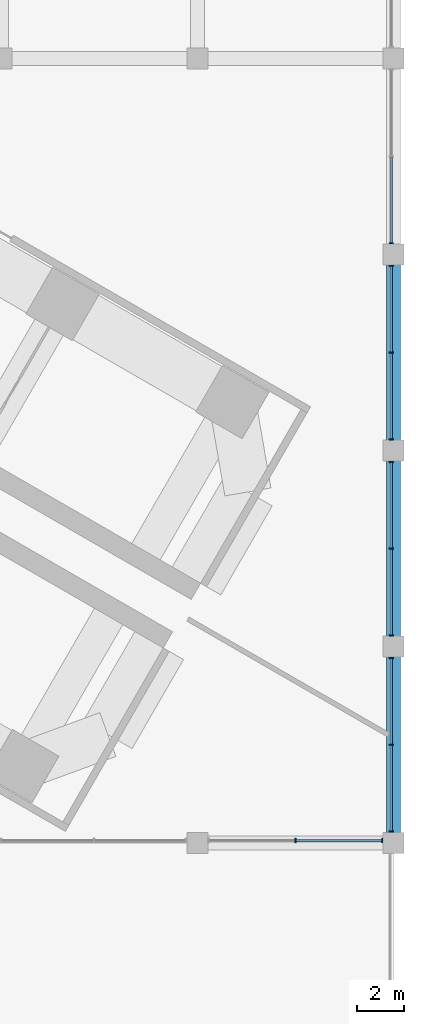
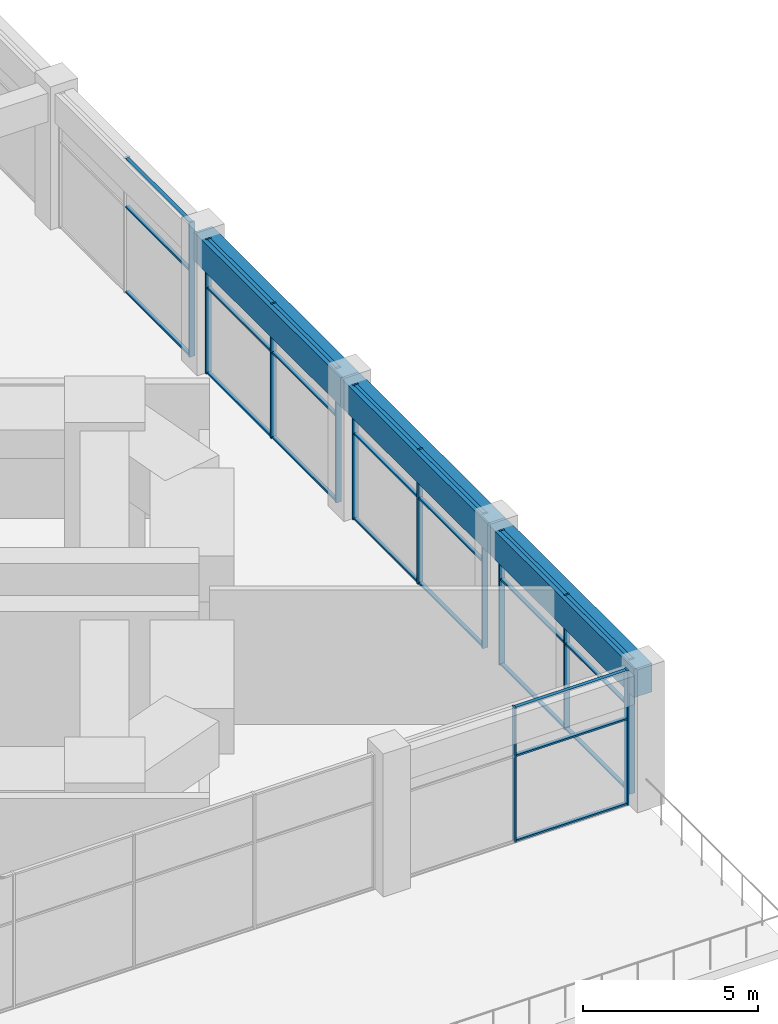
# One storey, part 13 of 36: 36 members, 3 beams, 5 elements without a shape of their own.
"""IFC4 building model written with IfcOpenShell, lengths in metres."""

import ifcopenshell
import ifcopenshell.guid

model = None  # the IFC model being written
_history = None  # IfcOwnerHistory: only IFC2X3 demands one
_inside = {}  # id of a spatial element -> (the spatial element, [elements in it])
_under = {}  # id of a project, library or spatial element -> (it, [spatial elements below it])
_declared = {}  # id of a project -> (the project, [libraries it declares])
_typed = {}  # id of a type object -> (the type object, [elements of that type])
_made_of = {}  # id of a material, layer set ... -> (it, [elements and type objects made of it])


def new_model(schema):
    """Start an empty IFC model of exactly this schema.

    Asked for "IFC4X3", IfcOpenShell would pick the latest addendum, in which some entities
    have other attributes; the version numbers below select the first issue.
    IFC2X3 requires an IfcOwnerHistory on every rooted entity: one is made here for all.
    """
    global model, _history
    if schema == "IFC4X3":
        model = ifcopenshell.file(schema_version=(4, 3, 0, 0))
    else:
        model = ifcopenshell.file(schema=schema)
    _inside.clear()
    _under.clear()
    _declared.clear()
    _typed.clear()
    _made_of.clear()
    _history = None
    if model.schema == "IFC2X3":
        org = make("IfcOrganization", Name="unknown")
        user = make(
            "IfcPersonAndOrganization",
            ThePerson=make("IfcPerson", FamilyName="unknown"),
            TheOrganization=org,
        )
        app = make(
            "IfcApplication",
            ApplicationDeveloper=org,
            Version="unknown",
            ApplicationFullName="unknown",
            ApplicationIdentifier="unknown",
        )
        _history = make(
            "IfcOwnerHistory",
            OwningUser=user,
            OwningApplication=app,
            ChangeAction="ADDED",
            CreationDate=0,
        )
    return model


def make(cls, **values):
    """One entity of the class cls with the attributes given. An attribute that is None is left unset."""
    return model.create_entity(
        cls, **{name: value for name, value in values.items() if value is not None}
    )


def rooted(cls, **values):
    """An entity with a GlobalId (a new one), such as an element, a storey or a relation."""
    return make(cls, GlobalId=ifcopenshell.guid.new(), OwnerHistory=_history, **values)


def si_unit(unit_type, name, prefix=None):
    """IfcSIUnit, for example si_unit("LENGTHUNIT", "METRE", prefix="MILLI")."""
    return make("IfcSIUnit", UnitType=unit_type, Prefix=prefix, Name=name)


def assignment(units):
    """IfcUnitAssignment: the units of a project."""
    return None if units is None else make("IfcUnitAssignment", Units=units)


def point(xyz):
    """IfcCartesianPoint."""
    return None if xyz is None else make("IfcCartesianPoint", Coordinates=xyz)


def direction(xyz):
    """IfcDirection."""
    return None if xyz is None else make("IfcDirection", DirectionRatios=xyz)


def frame(location, z_axis=None, x_axis=None):
    """IfcAxis2Placement3D, a coordinate frame: its origin and axes. An axis left out is left unset."""
    return make(
        "IfcAxis2Placement3D",
        Location=point(location),
        Axis=direction(z_axis),
        RefDirection=direction(x_axis),
    )


def frame_2d(location, x_axis=None):
    """IfcAxis2Placement2D, a coordinate frame in the plane: its origin and x axis."""
    return make(
        "IfcAxis2Placement2D", Location=point(location), RefDirection=direction(x_axis)
    )


def origin():
    """The frame at (0, 0, 0) with its axes left unset."""
    return frame((0.0, 0.0, 0.0))


def origin_2d():
    """The frame at (0, 0) in the plane with its x axis left unset."""
    return frame_2d((0.0, 0.0))


def place(relative_to, where):
    """IfcLocalPlacement: puts the frame where relative to a parent placement (None: the world)."""
    return make(
        "IfcLocalPlacement", PlacementRelTo=relative_to, RelativePlacement=where
    )


def context(
    kind, dimensions, precision=None, world=None, true_north=None, identifier=None
):
    """IfcGeometricRepresentationContext, for example the 3D "Model" context."""
    return make(
        "IfcGeometricRepresentationContext",
        ContextIdentifier=identifier,
        ContextType=kind,
        CoordinateSpaceDimension=dimensions,
        Precision=precision,
        WorldCoordinateSystem=world,
        TrueNorth=true_north,
    )


def subcontext(parent, identifier, kind, view, scale=None):
    """IfcGeometricRepresentationSubContext, for example "Body" below "Model"."""
    return make(
        "IfcGeometricRepresentationSubContext",
        ContextIdentifier=identifier,
        ContextType=kind,
        ParentContext=parent,
        TargetScale=scale,
        TargetView=view,
    )


def project(units=None, contexts=None):
    """IfcProject with its units and contexts."""
    return rooted(
        "IfcProject",
        Name="project",
        RepresentationContexts=contexts,
        UnitsInContext=assignment(units),
    )


def spatial(cls, under=None, at=None, **own):
    """A site, building, storey or space (cls), placed at a placement, below another one or the project."""
    s = rooted(cls, ObjectPlacement=at, **own)
    if under is not None:
        _under.setdefault(under.id(), (under, []))[1].append(s)
    return s


def profile(cls, at=None, kind="AREA", **sizes):
    """A parametric profile (cls). Its sizes go by their IFC names, for example OverallWidth=200.0."""
    return make(cls, ProfileType=kind, Position=at, **sizes)


def rectangle(**sizes):
    """IfcRectangleProfileDef."""
    return profile("IfcRectangleProfileDef", **sizes)


def extrude(swept, where, along, depth):
    """IfcExtrudedAreaSolid: the profile swept, set in the frame where, extruded along a direction by depth."""
    return make(
        "IfcExtrudedAreaSolid",
        SweptArea=swept,
        Position=where,
        ExtrudedDirection=direction(along),
        Depth=depth,
    )


def shape(context_of_items, identifier, shape_type, items):
    """IfcShapeRepresentation: the items that make up one representation, for example the "Body"."""
    return make(
        "IfcShapeRepresentation",
        ContextOfItems=context_of_items,
        RepresentationIdentifier=identifier,
        RepresentationType=shape_type,
        Items=items,
    )


def material(Name=None, Category=None):
    """IfcMaterial."""
    return make("IfcMaterial", Name=Name, Category=Category)


def material_profile(
    of_material, cross_section, Name=None, Category=None, Priority=None
):
    """IfcMaterialProfile: a cross section and its material."""
    return make(
        "IfcMaterialProfile",
        Name=Name,
        Material=of_material,
        Profile=cross_section,
        Priority=Priority,
        Category=Category,
    )


def profile_set(profiles, Name=None, composite=None):
    """IfcMaterialProfileSet."""
    return make(
        "IfcMaterialProfileSet",
        Name=Name,
        MaterialProfiles=profiles,
        CompositeProfile=composite,
    )


def made_of(thing, what):
    """Note that an element or type object is made of a material, layer set ...; save() writes the relation."""
    if what is not None:
        _made_of.setdefault(what.id(), (what, []))[1].append(thing)
    return thing


def type_object(cls, material=None, **own):
    """A type object (cls), such as IfcWallType, which elements share."""
    return made_of(rooted(cls, **own), material)


def element(
    cls,
    number,
    at=None,
    inside=None,
    cuts=None,
    type_object=None,
    material=None,
    context=None,
    identifier="Body",
    shape_type=None,
    held_by="IfcProductDefinitionShape",
    body=None,
    shapes=None,
    **own,
):
    """One element of the class cls, such as IfcWall. Its Tag is "e" and its number.

    at: its placement. inside: the storey or other place that contains it. cuts: it is an
    opening in that element (IfcRelVoidsElement). A single representation is given by context,
    identifier, shape_type and body (its items); several are given by shapes. held_by: the class
    of the entity that holds the representations. save() writes the other relations.
    """
    e = rooted(cls, Tag="e%d" % number, ObjectPlacement=at, **own)
    if body is not None:
        shapes = [shape(context, identifier, shape_type, body)]
    if shapes is not None:
        e.Representation = make(held_by, Representations=shapes)
    if inside is not None:
        _inside.setdefault(inside.id(), (inside, []))[1].append(e)
    if cuts is not None:
        rooted(
            "IfcRelVoidsElement", RelatingBuildingElement=cuts, RelatedOpeningElement=e
        )
    if type_object is not None:
        _typed.setdefault(type_object.id(), (type_object, []))[1].append(e)
    return made_of(e, material)


def aggregate(whole, parts):
    """IfcRelAggregates: a whole, such as a stair, and the parts it consists of."""
    return rooted("IfcRelAggregates", RelatingObject=whole, RelatedObjects=parts)


def save(model, path):
    """Write the relations noted so far, then the file.

    IfcRelAggregates (storeys below a building ...), IfcRelContainedInSpatialStructure (elements
    in a storey), IfcRelDefinesByType, IfcRelAssociatesMaterial and IfcRelDeclares: one each for
    every whole, place, type object, material and project.
    """
    for whole, parts in _under.values():
        aggregate(whole, parts)
    for where, things in _inside.values():
        rooted(
            "IfcRelContainedInSpatialStructure",
            RelatedElements=things,
            RelatingStructure=where,
        )
    for kind, things in _typed.values():
        rooted("IfcRelDefinesByType", RelatedObjects=things, RelatingType=kind)
    for what, things in _made_of.values():
        rooted("IfcRelAssociatesMaterial", RelatedObjects=things, RelatingMaterial=what)
    for by, libraries in _declared.values():
        rooted("IfcRelDeclares", RelatingContext=by, RelatedDefinitions=libraries)
    model.write(path)


model = new_model("IFC4")

# Units and contexts
model_context = context("Model", 3, precision=1e-05, world=origin(), true_north=direction((0.0, 1.0)))
body_context = subcontext(model_context, "Body", "Model", "MODEL_VIEW")
ifc_project = project(units=[si_unit("LENGTHUNIT", "METRE"), si_unit("AREAUNIT", "SQUARE_METRE"), si_unit("VOLUMEUNIT", "CUBIC_METRE"), si_unit("PLANEANGLEUNIT", "RADIAN"), si_unit("MASSUNIT", "GRAM", prefix="KILO")], contexts=[model_context])

# Site, building, storey
site_placement = place(None, origin())
site = spatial("IfcSite", under=ifc_project, at=site_placement, CompositionType="ELEMENT")
building_placement = place(site_placement, origin())
building = spatial("IfcBuilding", under=site, at=building_placement, Name="Impinga Residences", CompositionType="ELEMENT")
storey_placement = place(building_placement, frame((0.0, 0.0, 6.0)))
storey = spatial("IfcBuildingStorey", under=building, at=storey_placement, Name="L01", CompositionType="ELEMENT", Elevation=6.0)

# Curtain wall, member
ifc_material_1 = material(Name="Aluminium stick curtain wall", Category="aluminium")
curtain_wall_type = type_object("IfcCurtainWallType", Name="CW1 podium amenity curtain wall", PredefinedType="USERDEFINED", material=ifc_material_1)
curtain_wall_1_placement = place(storey_placement, origin())
curtain_wall_1 = element("IfcCurtainWall", 1, at=curtain_wall_1_placement, inside=storey, type_object=curtain_wall_type, Name="Curtain wall CW1 L01", ObjectType="STICK CURTAIN WALL", PredefinedType="USERDEFINED")
ifc_material_2 = material(Name="Aluminium mullion", Category="aluminium")
ifc_material_profile_1 = material_profile(ifc_material_2, rectangle(XDim=0.06005859375, YDim=0.179931640625, at=origin_2d()), Name="60x180 mullion")
ifc_profile_set_1 = profile_set([ifc_material_profile_1], Name="Aluminium mullion")
member_type_1 = type_object("IfcMemberType", Name="CW1-M mullion 60x180", PredefinedType="MULLION", material=ifc_profile_set_1)
member_1_placement = place(storey_placement, frame((50.300048828125, -7.9169921875, 0.0), z_axis=(0.0, 0.0, 1.0), x_axis=(0.0, -1.0, 0.0)))
member_1 = element("IfcMember", 2, at=member_1_placement, type_object=member_type_1, Name="CW1 mullion 3", PredefinedType="MULLION", context=body_context, shape_type="SweptSolid", body=[
    extrude(rectangle(XDim=0.06005859375, YDim=0.179931640625, at=origin_2d()), origin(), (0.0, 0.0, 1.0), 4.699951171875),
])

# Curtain wall, members
curtain_wall_2_placement = place(storey_placement, origin())
curtain_wall_2 = element("IfcCurtainWall", 3, at=curtain_wall_2_placement, inside=storey, type_object=curtain_wall_type, Name="Curtain wall CW1 L01", ObjectType="STICK CURTAIN WALL", PredefinedType="USERDEFINED")
member_2_placement = place(storey_placement, frame((50.300048828125, -8.883056640625, 0.0), z_axis=(0.0, 0.0, 1.0), x_axis=(0.0, -1.0, 0.0)))
member_2 = element("IfcMember", 4, at=member_2_placement, type_object=member_type_1, Name="CW1 mullion 1", PredefinedType="MULLION", context=body_context, shape_type="SweptSolid", body=[
    extrude(rectangle(XDim=0.06005859375, YDim=0.179931640625, at=origin_2d()), origin(), (0.0, 0.0, 1.0), 4.699951171875),
])
member_3_placement = place(storey_placement, frame((50.300048828125, -12.60009765625, 0.0), z_axis=(0.0, 0.0, 1.0), x_axis=(0.0, -1.0, 0.0)))
member_3 = element("IfcMember", 5, at=member_3_placement, type_object=member_type_1, Name="CW1 mullion 2", PredefinedType="MULLION", context=body_context, shape_type="SweptSolid", body=[
    extrude(rectangle(XDim=0.06005859375, YDim=0.179931640625, at=origin_2d()), origin(), (0.0, 0.0, 1.0), 4.699951171875),
])
member_4_placement = place(storey_placement, frame((50.300048828125, -16.31689453125, 0.0), z_axis=(0.0, 0.0, 1.0), x_axis=(0.0, -1.0, 0.0)))
member_4 = element("IfcMember", 6, at=member_4_placement, type_object=member_type_1, Name="CW1 mullion 3", PredefinedType="MULLION", context=body_context, shape_type="SweptSolid", body=[
    extrude(rectangle(XDim=0.06005859375, YDim=0.179931640625, at=origin_2d()), origin(), (0.0, 0.0, 1.0), 4.699951171875),
])

curtain_wall_3_placement = place(storey_placement, origin())
curtain_wall_3 = element("IfcCurtainWall", 7, at=curtain_wall_3_placement, inside=storey, type_object=curtain_wall_type, Name="Curtain wall CW1 L01", ObjectType="STICK CURTAIN WALL", PredefinedType="USERDEFINED")
member_5_placement = place(storey_placement, frame((50.300048828125, -17.282958984375, 0.0), z_axis=(0.0, 0.0, 1.0), x_axis=(0.0, -1.0, 0.0)))
member_5 = element("IfcMember", 8, at=member_5_placement, type_object=member_type_1, Name="CW1 mullion 1", PredefinedType="MULLION", context=body_context, shape_type="SweptSolid", body=[
    extrude(rectangle(XDim=0.06005859375, YDim=0.179931640625, at=origin_2d()), origin(), (0.0, 0.0, 1.0), 4.699951171875),
])
member_6_placement = place(storey_placement, frame((50.300048828125, -21.0, 0.0), z_axis=(0.0, 0.0, 1.0), x_axis=(0.0, -1.0, 0.0)))
member_6 = element("IfcMember", 9, at=member_6_placement, type_object=member_type_1, Name="CW1 mullion 2", PredefinedType="MULLION", context=body_context, shape_type="SweptSolid", body=[
    extrude(rectangle(XDim=0.06005859375, YDim=0.179931640625, at=origin_2d()), origin(), (0.0, 0.0, 1.0), 4.699951171875),
])
member_7_placement = place(storey_placement, frame((50.300048828125, -24.717041015625, 0.0), z_axis=(0.0, 0.0, 1.0), x_axis=(0.0, -1.0, 0.0)))
member_7 = element("IfcMember", 10, at=member_7_placement, type_object=member_type_1, Name="CW1 mullion 3", PredefinedType="MULLION", context=body_context, shape_type="SweptSolid", body=[
    extrude(rectangle(XDim=0.06005859375, YDim=0.179931640625, at=origin_2d()), origin(), (0.0, 0.0, 1.0), 4.699951171875),
])

curtain_wall_4_placement = place(storey_placement, origin())
curtain_wall_4 = element("IfcCurtainWall", 11, at=curtain_wall_4_placement, inside=storey, type_object=curtain_wall_type, Name="Curtain wall CW1 L01", ObjectType="STICK CURTAIN WALL", PredefinedType="USERDEFINED")
member_8_placement = place(storey_placement, frame((50.300048828125, -25.68310546875, 0.0), z_axis=(0.0, 0.0, 1.0), x_axis=(0.0, -1.0, 0.0)))
member_8 = element("IfcMember", 12, at=member_8_placement, type_object=member_type_1, Name="CW1 mullion 1", PredefinedType="MULLION", context=body_context, shape_type="SweptSolid", body=[
    extrude(rectangle(XDim=0.06005859375, YDim=0.179931640625, at=origin_2d()), origin(), (0.0, 0.0, 1.0), 4.699951171875),
])
member_9_placement = place(storey_placement, frame((50.300048828125, -29.39990234375, 0.0), z_axis=(0.0, 0.0, 1.0), x_axis=(0.0, -1.0, 0.0)))
member_9 = element("IfcMember", 13, at=member_9_placement, type_object=member_type_1, Name="CW1 mullion 2", PredefinedType="MULLION", context=body_context, shape_type="SweptSolid", body=[
    extrude(rectangle(XDim=0.06005859375, YDim=0.179931640625, at=origin_2d()), origin(), (0.0, 0.0, 1.0), 4.699951171875),
])
member_10_placement = place(storey_placement, frame((50.300048828125, -33.116943359375, 0.0), z_axis=(0.0, 0.0, 1.0), x_axis=(0.0, -1.0, 0.0)))
member_10 = element("IfcMember", 14, at=member_10_placement, type_object=member_type_1, Name="CW1 mullion 3", PredefinedType="MULLION", context=body_context, shape_type="SweptSolid", body=[
    extrude(rectangle(XDim=0.06005859375, YDim=0.179931640625, at=origin_2d()), origin(), (0.0, 0.0, 1.0), 4.699951171875),
])

curtain_wall_5_placement = place(storey_placement, origin())
curtain_wall_5 = element("IfcCurtainWall", 15, at=curtain_wall_5_placement, inside=storey, type_object=curtain_wall_type, Name="Curtain wall CW1 L01", ObjectType="STICK CURTAIN WALL", PredefinedType="USERDEFINED")
member_11_placement = place(storey_placement, frame((49.9169921875, -33.5, 0.0), z_axis=(0.0, 0.0, 1.0), x_axis=(-1.0, 0.0, 0.0)))
member_11 = element("IfcMember", 16, at=member_11_placement, type_object=member_type_1, Name="CW1 mullion 1", PredefinedType="MULLION", context=body_context, shape_type="SweptSolid", body=[
    extrude(rectangle(XDim=0.06005859375, YDim=0.179931640625, at=origin_2d()), origin(), (0.0, 0.0, 1.0), 4.699951171875),
])
member_12_placement = place(storey_placement, frame((46.199951171875, -33.5, 0.0), z_axis=(0.0, 0.0, 1.0), x_axis=(-1.0, 0.0, 0.0)))
member_12 = element("IfcMember", 17, at=member_12_placement, type_object=member_type_1, Name="CW1 mullion 2", PredefinedType="MULLION", context=body_context, shape_type="SweptSolid", body=[
    extrude(rectangle(XDim=0.06005859375, YDim=0.179931640625, at=origin_2d()), origin(), (0.0, 0.0, 1.0), 4.699951171875),
])

# Member
ifc_material_3 = material(Name="Aluminium transom", Category="aluminium")
ifc_material_profile_2 = material_profile(ifc_material_3, rectangle(XDim=0.06005859375, YDim=0.1201171875, at=origin_2d()), Name="60x120 transom")
ifc_profile_set_2 = profile_set([ifc_material_profile_2], Name="Aluminium transom")
member_type_2 = type_object("IfcMemberType", Name="CW1-T transom 60x120", PredefinedType="USERDEFINED", material=ifc_profile_set_2)
member_13_placement = place(storey_placement, frame((50.300048828125, -4.22998046875, 0.030029296875), z_axis=(0.0, -1.0, 0.0), x_axis=(0.0, 0.0, 1.0)))
member_13 = element("IfcMember", 18, at=member_13_placement, type_object=member_type_2, Name="CW1 transom 2.1", ObjectType="TRANSOM", PredefinedType="USERDEFINED", context=body_context, shape_type="SweptSolid", body=[
    extrude(rectangle(XDim=0.06005859375, YDim=0.1201171875, at=origin_2d()), origin(), (0.0, 0.0, 1.0), 3.656982421875),
])

member_14_placement = place(storey_placement, frame((50.300048828125, -4.22998046875, 3.0), z_axis=(0.0, -1.0, 0.0), x_axis=(0.0, 0.0, 1.0)))
member_14 = element("IfcMember", 19, at=member_14_placement, type_object=member_type_2, Name="CW1 transom 2.2", ObjectType="TRANSOM", PredefinedType="USERDEFINED", context=body_context, shape_type="SweptSolid", body=[
    extrude(rectangle(XDim=0.06005859375, YDim=0.1201171875, at=origin_2d()), origin(), (0.0, 0.0, 1.0), 3.656982421875),
])

member_15_placement = place(storey_placement, frame((50.300048828125, -4.22998046875, 4.669921875), z_axis=(0.0, -1.0, 0.0), x_axis=(0.0, 0.0, 1.0)))
member_15 = element("IfcMember", 20, at=member_15_placement, type_object=member_type_2, Name="CW1 transom 2.3", ObjectType="TRANSOM", PredefinedType="USERDEFINED", context=body_context, shape_type="SweptSolid", body=[
    extrude(rectangle(XDim=0.06005859375, YDim=0.1201171875, at=origin_2d()), origin(), (0.0, 0.0, 1.0), 3.656982421875),
])

aggregate(curtain_wall_1, [member_1, member_13, member_14, member_15])

member_16_placement = place(storey_placement, frame((50.300048828125, -8.9130859375, 0.030029296875), z_axis=(0.0, -1.0, 0.0), x_axis=(0.0, 0.0, 1.0)))
member_16 = element("IfcMember", 21, at=member_16_placement, type_object=member_type_2, Name="CW1 transom 1.1", ObjectType="TRANSOM", PredefinedType="USERDEFINED", context=body_context, shape_type="SweptSolid", body=[
    extrude(rectangle(XDim=0.06005859375, YDim=0.1201171875, at=origin_2d()), origin(), (0.0, 0.0, 1.0), 3.656982421875),
])

member_17_placement = place(storey_placement, frame((50.300048828125, -8.9130859375, 3.0), z_axis=(0.0, -1.0, 0.0), x_axis=(0.0, 0.0, 1.0)))
member_17 = element("IfcMember", 22, at=member_17_placement, type_object=member_type_2, Name="CW1 transom 1.2", ObjectType="TRANSOM", PredefinedType="USERDEFINED", context=body_context, shape_type="SweptSolid", body=[
    extrude(rectangle(XDim=0.06005859375, YDim=0.1201171875, at=origin_2d()), origin(), (0.0, 0.0, 1.0), 3.656982421875),
])

member_18_placement = place(storey_placement, frame((50.300048828125, -8.9130859375, 4.669921875), z_axis=(0.0, -1.0, 0.0), x_axis=(0.0, 0.0, 1.0)))
member_18 = element("IfcMember", 23, at=member_18_placement, type_object=member_type_2, Name="CW1 transom 1.3", ObjectType="TRANSOM", PredefinedType="USERDEFINED", context=body_context, shape_type="SweptSolid", body=[
    extrude(rectangle(XDim=0.06005859375, YDim=0.1201171875, at=origin_2d()), origin(), (0.0, 0.0, 1.0), 3.656982421875),
])

member_19_placement = place(storey_placement, frame((50.300048828125, -12.6298828125, 0.030029296875), z_axis=(0.0, -1.0, 0.0), x_axis=(0.0, 0.0, 1.0)))
member_19 = element("IfcMember", 24, at=member_19_placement, type_object=member_type_2, Name="CW1 transom 2.1", ObjectType="TRANSOM", PredefinedType="USERDEFINED", context=body_context, shape_type="SweptSolid", body=[
    extrude(rectangle(XDim=0.06005859375, YDim=0.1201171875, at=origin_2d()), origin(), (0.0, 0.0, 1.0), 3.6572265625),
])

member_20_placement = place(storey_placement, frame((50.300048828125, -12.6298828125, 3.0), z_axis=(0.0, -1.0, 0.0), x_axis=(0.0, 0.0, 1.0)))
member_20 = element("IfcMember", 25, at=member_20_placement, type_object=member_type_2, Name="CW1 transom 2.2", ObjectType="TRANSOM", PredefinedType="USERDEFINED", context=body_context, shape_type="SweptSolid", body=[
    extrude(rectangle(XDim=0.06005859375, YDim=0.1201171875, at=origin_2d()), origin(), (0.0, 0.0, 1.0), 3.6572265625),
])

member_21_placement = place(storey_placement, frame((50.300048828125, -12.6298828125, 4.669921875), z_axis=(0.0, -1.0, 0.0), x_axis=(0.0, 0.0, 1.0)))
member_21 = element("IfcMember", 26, at=member_21_placement, type_object=member_type_2, Name="CW1 transom 2.3", ObjectType="TRANSOM", PredefinedType="USERDEFINED", context=body_context, shape_type="SweptSolid", body=[
    extrude(rectangle(XDim=0.06005859375, YDim=0.1201171875, at=origin_2d()), origin(), (0.0, 0.0, 1.0), 3.6572265625),
])

aggregate(curtain_wall_2, [member_2, member_3, member_4, member_16, member_17, member_18, member_19, member_20, member_21])

member_22_placement = place(storey_placement, frame((50.300048828125, -17.31298828125, 0.030029296875), z_axis=(0.0, -1.0, 0.0), x_axis=(0.0, 0.0, 1.0)))
member_22 = element("IfcMember", 27, at=member_22_placement, type_object=member_type_2, Name="CW1 transom 1.1", ObjectType="TRANSOM", PredefinedType="USERDEFINED", context=body_context, shape_type="SweptSolid", body=[
    extrude(rectangle(XDim=0.06005859375, YDim=0.1201171875, at=origin_2d()), origin(), (0.0, 0.0, 1.0), 3.656982421875),
])

member_23_placement = place(storey_placement, frame((50.300048828125, -17.31298828125, 3.0), z_axis=(0.0, -1.0, 0.0), x_axis=(0.0, 0.0, 1.0)))
member_23 = element("IfcMember", 28, at=member_23_placement, type_object=member_type_2, Name="CW1 transom 1.2", ObjectType="TRANSOM", PredefinedType="USERDEFINED", context=body_context, shape_type="SweptSolid", body=[
    extrude(rectangle(XDim=0.06005859375, YDim=0.1201171875, at=origin_2d()), origin(), (0.0, 0.0, 1.0), 3.656982421875),
])

member_24_placement = place(storey_placement, frame((50.300048828125, -17.31298828125, 4.669921875), z_axis=(0.0, -1.0, 0.0), x_axis=(0.0, 0.0, 1.0)))
member_24 = element("IfcMember", 29, at=member_24_placement, type_object=member_type_2, Name="CW1 transom 1.3", ObjectType="TRANSOM", PredefinedType="USERDEFINED", context=body_context, shape_type="SweptSolid", body=[
    extrude(rectangle(XDim=0.06005859375, YDim=0.1201171875, at=origin_2d()), origin(), (0.0, 0.0, 1.0), 3.656982421875),
])

member_25_placement = place(storey_placement, frame((50.300048828125, -21.030029296875, 0.030029296875), z_axis=(0.0, -1.0, 0.0), x_axis=(0.0, 0.0, 1.0)))
member_25 = element("IfcMember", 30, at=member_25_placement, type_object=member_type_2, Name="CW1 transom 2.1", ObjectType="TRANSOM", PredefinedType="USERDEFINED", context=body_context, shape_type="SweptSolid", body=[
    extrude(rectangle(XDim=0.06005859375, YDim=0.1201171875, at=origin_2d()), origin(), (0.0, 0.0, 1.0), 3.656982421875),
])

member_26_placement = place(storey_placement, frame((50.300048828125, -21.030029296875, 3.0), z_axis=(0.0, -1.0, 0.0), x_axis=(0.0, 0.0, 1.0)))
member_26 = element("IfcMember", 31, at=member_26_placement, type_object=member_type_2, Name="CW1 transom 2.2", ObjectType="TRANSOM", PredefinedType="USERDEFINED", context=body_context, shape_type="SweptSolid", body=[
    extrude(rectangle(XDim=0.06005859375, YDim=0.1201171875, at=origin_2d()), origin(), (0.0, 0.0, 1.0), 3.656982421875),
])

member_27_placement = place(storey_placement, frame((50.300048828125, -21.030029296875, 4.669921875), z_axis=(0.0, -1.0, 0.0), x_axis=(0.0, 0.0, 1.0)))
member_27 = element("IfcMember", 32, at=member_27_placement, type_object=member_type_2, Name="CW1 transom 2.3", ObjectType="TRANSOM", PredefinedType="USERDEFINED", context=body_context, shape_type="SweptSolid", body=[
    extrude(rectangle(XDim=0.06005859375, YDim=0.1201171875, at=origin_2d()), origin(), (0.0, 0.0, 1.0), 3.656982421875),
])

aggregate(curtain_wall_3, [member_5, member_6, member_7, member_22, member_23, member_24, member_25, member_26, member_27])

member_28_placement = place(storey_placement, frame((50.300048828125, -25.712890625, 0.030029296875), z_axis=(0.0, -1.0, 0.0), x_axis=(0.0, 0.0, 1.0)))
member_28 = element("IfcMember", 33, at=member_28_placement, type_object=member_type_2, Name="CW1 transom 1.1", ObjectType="TRANSOM", PredefinedType="USERDEFINED", context=body_context, shape_type="SweptSolid", body=[
    extrude(rectangle(XDim=0.06005859375, YDim=0.1201171875, at=origin_2d()), origin(), (0.0, 0.0, 1.0), 3.6572265625),
])

member_29_placement = place(storey_placement, frame((50.300048828125, -25.712890625, 3.0), z_axis=(0.0, -1.0, 0.0), x_axis=(0.0, 0.0, 1.0)))
member_29 = element("IfcMember", 34, at=member_29_placement, type_object=member_type_2, Name="CW1 transom 1.2", ObjectType="TRANSOM", PredefinedType="USERDEFINED", context=body_context, shape_type="SweptSolid", body=[
    extrude(rectangle(XDim=0.06005859375, YDim=0.1201171875, at=origin_2d()), origin(), (0.0, 0.0, 1.0), 3.6572265625),
])

member_30_placement = place(storey_placement, frame((50.300048828125, -25.712890625, 4.669921875), z_axis=(0.0, -1.0, 0.0), x_axis=(0.0, 0.0, 1.0)))
member_30 = element("IfcMember", 35, at=member_30_placement, type_object=member_type_2, Name="CW1 transom 1.3", ObjectType="TRANSOM", PredefinedType="USERDEFINED", context=body_context, shape_type="SweptSolid", body=[
    extrude(rectangle(XDim=0.06005859375, YDim=0.1201171875, at=origin_2d()), origin(), (0.0, 0.0, 1.0), 3.6572265625),
])

member_31_placement = place(storey_placement, frame((50.300048828125, -29.429931640625, 0.030029296875), z_axis=(0.0, -1.0, 0.0), x_axis=(0.0, 0.0, 1.0)))
member_31 = element("IfcMember", 36, at=member_31_placement, type_object=member_type_2, Name="CW1 transom 2.1", ObjectType="TRANSOM", PredefinedType="USERDEFINED", context=body_context, shape_type="SweptSolid", body=[
    extrude(rectangle(XDim=0.06005859375, YDim=0.1201171875, at=origin_2d()), origin(), (0.0, 0.0, 1.0), 3.656982421875),
])

member_32_placement = place(storey_placement, frame((50.300048828125, -29.429931640625, 3.0), z_axis=(0.0, -1.0, 0.0), x_axis=(0.0, 0.0, 1.0)))
member_32 = element("IfcMember", 37, at=member_32_placement, type_object=member_type_2, Name="CW1 transom 2.2", ObjectType="TRANSOM", PredefinedType="USERDEFINED", context=body_context, shape_type="SweptSolid", body=[
    extrude(rectangle(XDim=0.06005859375, YDim=0.1201171875, at=origin_2d()), origin(), (0.0, 0.0, 1.0), 3.656982421875),
])

member_33_placement = place(storey_placement, frame((50.300048828125, -29.429931640625, 4.669921875), z_axis=(0.0, -1.0, 0.0), x_axis=(0.0, 0.0, 1.0)))
member_33 = element("IfcMember", 38, at=member_33_placement, type_object=member_type_2, Name="CW1 transom 2.3", ObjectType="TRANSOM", PredefinedType="USERDEFINED", context=body_context, shape_type="SweptSolid", body=[
    extrude(rectangle(XDim=0.06005859375, YDim=0.1201171875, at=origin_2d()), origin(), (0.0, 0.0, 1.0), 3.656982421875),
])

aggregate(curtain_wall_4, [member_8, member_9, member_10, member_28, member_29, member_30, member_31, member_32, member_33])

member_34_placement = place(storey_placement, frame((49.886962890625, -33.5, 0.030029296875), z_axis=(-1.0, 0.0, 0.0), x_axis=(0.0, 0.0, 1.0)))
member_34 = element("IfcMember", 39, at=member_34_placement, type_object=member_type_2, Name="CW1 transom 1.1", ObjectType="TRANSOM", PredefinedType="USERDEFINED", context=body_context, shape_type="SweptSolid", body=[
    extrude(rectangle(XDim=0.06005859375, YDim=0.1201171875, at=origin_2d()), origin(), (0.0, 0.0, 1.0), 3.656982421875),
])

member_35_placement = place(storey_placement, frame((49.886962890625, -33.5, 3.0), z_axis=(-1.0, 0.0, 0.0), x_axis=(0.0, 0.0, 1.0)))
member_35 = element("IfcMember", 40, at=member_35_placement, type_object=member_type_2, Name="CW1 transom 1.2", ObjectType="TRANSOM", PredefinedType="USERDEFINED", context=body_context, shape_type="SweptSolid", body=[
    extrude(rectangle(XDim=0.06005859375, YDim=0.1201171875, at=origin_2d()), origin(), (0.0, 0.0, 1.0), 3.656982421875),
])

member_36_placement = place(storey_placement, frame((49.886962890625, -33.5, 4.669921875), z_axis=(-1.0, 0.0, 0.0), x_axis=(0.0, 0.0, 1.0)))
member_36 = element("IfcMember", 41, at=member_36_placement, type_object=member_type_2, Name="CW1 transom 1.3", ObjectType="TRANSOM", PredefinedType="USERDEFINED", context=body_context, shape_type="SweptSolid", body=[
    extrude(rectangle(XDim=0.06005859375, YDim=0.1201171875, at=origin_2d()), origin(), (0.0, 0.0, 1.0), 3.656982421875),
])

aggregate(curtain_wall_5, [member_11, member_12, member_34, member_35, member_36])

# Beams
ifc_material_4 = material(Name="Concrete C60/75", Category="concrete")
ifc_material_profile_3 = material_profile(ifc_material_4, rectangle(XDim=0.60009765625, YDim=1.0, at=origin_2d()), Name="RC 600x1000")
ifc_profile_set_3 = profile_set([ifc_material_profile_3], Name="Concrete C60/75")
beam_type = type_object("IfcBeamType", Name="PB2 600x1000 podium beam", PredefinedType="BEAM", material=ifc_profile_set_3)
beam_1_placement = place(storey_placement, frame((50.39990234375, -33.60009765625, 4.199951171875), z_axis=(0.0, 1.0, 0.0), x_axis=(-1.0, 0.0, 0.0)))
element("IfcBeam", 42, at=beam_1_placement, inside=storey, type_object=beam_type, Name="Beam PB2 13/B-C level L02", PredefinedType="BEAM", context=body_context, shape_type="SweptSolid", body=[
    extrude(rectangle(XDim=0.60009765625, YDim=1.0, at=origin_2d()), origin(), (0.0, 0.0, 1.0), 8.400146484375),
])
beam_2_placement = place(storey_placement, frame((50.39990234375, -25.199951171875, 4.199951171875), z_axis=(0.0, 1.0, 0.0), x_axis=(-1.0, 0.0, 0.0)))
element("IfcBeam", 43, at=beam_2_placement, inside=storey, type_object=beam_type, Name="Beam PB2 13/C-D level L02", PredefinedType="BEAM", context=body_context, shape_type="SweptSolid", body=[
    extrude(rectangle(XDim=0.60009765625, YDim=1.0, at=origin_2d()), origin(), (0.0, 0.0, 1.0), 8.39990234375),
])
beam_3_placement = place(storey_placement, frame((50.39990234375, -16.800048828125, 4.199951171875), z_axis=(0.0, 1.0, 0.0), x_axis=(-1.0, 0.0, 0.0)))
element("IfcBeam", 44, at=beam_3_placement, inside=storey, type_object=beam_type, Name="Beam PB2 13/D-E level L02", PredefinedType="BEAM", context=body_context, shape_type="SweptSolid", body=[
    extrude(rectangle(XDim=0.60009765625, YDim=1.0, at=origin_2d()), origin(), (0.0, 0.0, 1.0), 8.400146484375),
])

save(model, "model.ifc")
